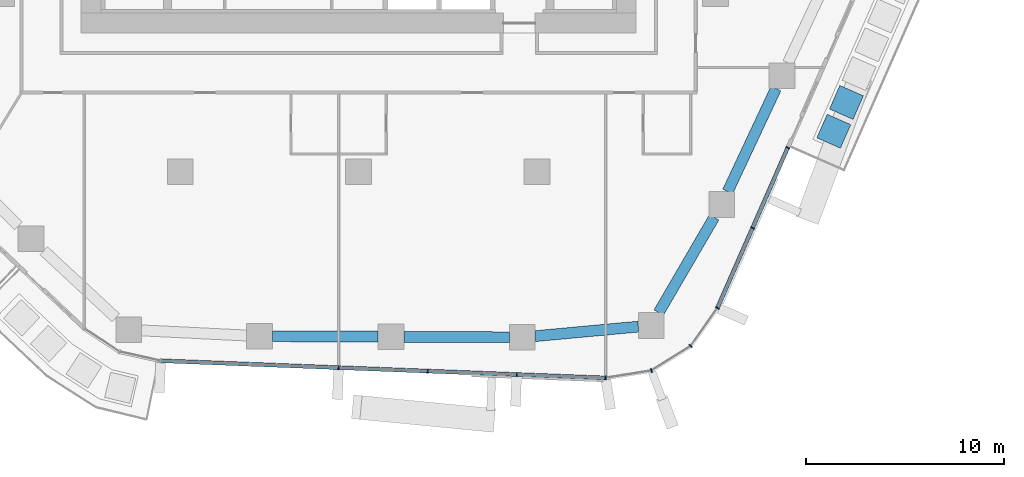
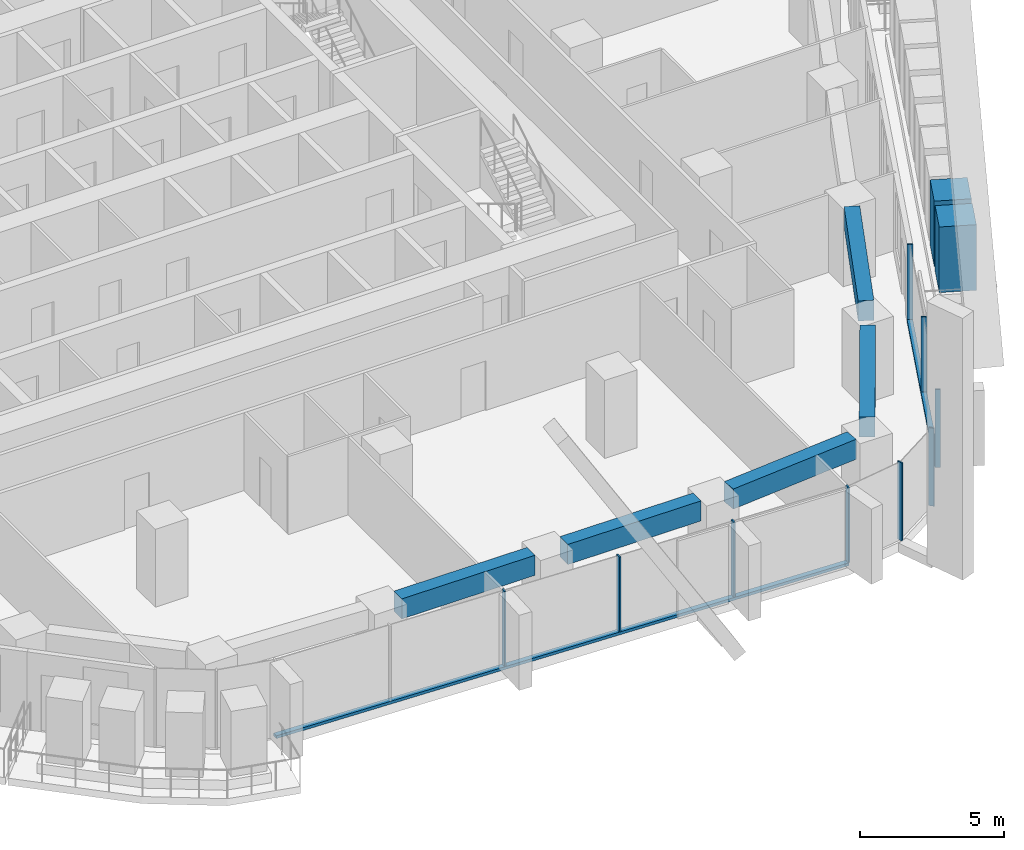
# One storey, part 4 of 24: 13 members, 5 beams, 3 elements without a shape of their own.
"""IFC4 building model written with IfcOpenShell, lengths in metres."""

from ifc_helpers import new_model, si_unit, direction, frame, origin, origin_2d, place, context, subcontext, project, spatial, rectangle, extrude, material, layer, layer_set, material_profile, profile_set, type_object, element, aggregate, save


model = new_model("IFC4")

# Units and contexts
model_context = context("Model", 3, precision=1e-05, world=origin(), true_north=direction((0.0, 1.0)))
body_context = subcontext(model_context, "Body", "Model", "MODEL_VIEW")
ifc_project = project(units=[si_unit("LENGTHUNIT", "METRE"), si_unit("AREAUNIT", "SQUARE_METRE"), si_unit("VOLUMEUNIT", "CUBIC_METRE"), si_unit("PLANEANGLEUNIT", "RADIAN"), si_unit("MASSUNIT", "GRAM", prefix="KILO")], contexts=[model_context])

# Site, building, storey
site_placement = place(None, origin())
site = spatial("IfcSite", under=ifc_project, at=site_placement, CompositionType="ELEMENT")
building_placement = place(site_placement, origin())
building = spatial("IfcBuilding", under=site, at=building_placement, Name="Dongbaek Canopy Tower", CompositionType="ELEMENT")
storey_placement = place(building_placement, frame((0.0, 0.0, 128.5)))
storey = spatial("IfcBuildingStorey", under=building, at=storey_placement, Name="L28", CompositionType="ELEMENT", Elevation=128.5)

# Curtain wall, members
ifc_material_1 = material(Name="Aluminium 6063-T6 pale anodised", Category="aluminium")
ifc_layer = layer(ifc_material_1, 0.199951171875)
ifc_layer_set = layer_set([ifc_layer], Name="CW-1 unitised tower curtain wall")
curtain_wall_type = type_object("IfcCurtainWallType", Name="CW-1 unitised tower curtain wall", PredefinedType="NOTDEFINED", material=ifc_layer_set)
curtain_wall_1_placement = place(storey_placement, origin())
curtain_wall_1 = element("IfcCurtainWall", 1, at=curtain_wall_1_placement, inside=storey, type_object=curtain_wall_type, Name="CW-1 curtain wall F4.1", PredefinedType="NOTDEFINED")
ifc_material_2 = material(Name="Aluminium 6063-T6 pale anodised", Category="aluminium")
ifc_material_profile_1 = material_profile(ifc_material_2, rectangle(XDim=0.199951171875, YDim=0.06005859375, at=origin_2d()), Name="CW-1 mullion 60 x 200")
ifc_profile_set_1 = profile_set([ifc_material_profile_1], Name="Aluminium 6063-T6 pale anodised")
member_type_1 = type_object("IfcMemberType", Name="CW-1 mullion 60 x 200", PredefinedType="MULLION", material=ifc_profile_set_1)
member_1_placement = place(storey_placement, frame((-1.010986328125, -27.8779296875, 0.1201171875), z_axis=(0.0, 0.0, 1.0), x_axis=(-0.038587229989, -0.999255235504, 0.0)))
member_1 = element("IfcMember", 2, at=member_1_placement, type_object=member_type_1, Name="CW-1 mullion F4.1.3", PredefinedType="MULLION", context=body_context, shape_type="SweptSolid", body=[
    extrude(rectangle(XDim=0.199951171875, YDim=0.06005859375, at=origin_2d()), origin(), (0.0, 0.0, 1.0), 3.179931640625),
])
member_2_placement = place(storey_placement, frame((3.4814453125, -28.05126953125, 0.1201171875), z_axis=(0.0, 0.0, 1.0), x_axis=(-0.038587229989, -0.999255235504, 0.0)))
member_2 = element("IfcMember", 3, at=member_2_placement, type_object=member_type_1, Name="CW-1 mullion F4.1.4", PredefinedType="MULLION", context=body_context, shape_type="SweptSolid", body=[
    extrude(rectangle(XDim=0.199951171875, YDim=0.06005859375, at=origin_2d()), origin(), (0.0, 0.0, 1.0), 3.179931640625),
])
member_3_placement = place(storey_placement, frame((7.973876953125, -28.224853515625, 0.1201171875), z_axis=(0.0, 0.0, 1.0), x_axis=(-0.038587229989, -0.999255235504, 0.0)))
member_3 = element("IfcMember", 4, at=member_3_placement, type_object=member_type_1, Name="CW-1 mullion F4.1.5", PredefinedType="MULLION", context=body_context, shape_type="SweptSolid", body=[
    extrude(rectangle(XDim=0.199951171875, YDim=0.06005859375, at=origin_2d()), origin(), (0.0, 0.0, 1.0), 3.179931640625),
])
member_4_placement = place(storey_placement, frame((12.456298828125, -28.39794921875, 0.1201171875), z_axis=(0.0, 0.0, 1.0), x_axis=(-0.038587229989, -0.999255235504, 0.0)))
member_4 = element("IfcMember", 5, at=member_4_placement, type_object=member_type_1, Name="CW-1 mullion F4.1.6", PredefinedType="MULLION", context=body_context, shape_type="SweptSolid", body=[
    extrude(rectangle(XDim=0.199951171875, YDim=0.06005859375, at=origin_2d()), origin(), (0.0, 0.0, 1.0), 3.179931640625),
])

curtain_wall_2_placement = place(storey_placement, origin())
curtain_wall_2 = element("IfcCurtainWall", 6, at=curtain_wall_2_placement, inside=storey, type_object=curtain_wall_type, Name="CW-1 curtain wall K5.1", PredefinedType="NOTDEFINED")
member_5_placement = place(storey_placement, frame((14.771240234375, -28.022705078125, 0.0), z_axis=(0.0, 0.0, 1.0), x_axis=(0.35218386839, -0.935930832298, 0.0)))
member_5 = element("IfcMember", 7, at=member_5_placement, type_object=member_type_1, Name="CW-1 mullion K5.1.2", PredefinedType="MULLION", context=body_context, shape_type="SweptSolid", body=[
    extrude(rectangle(XDim=0.199951171875, YDim=0.06005859375, at=origin_2d()), origin(), (0.0, 0.0, 1.0), 3.300048828125),
])
member_6_placement = place(storey_placement, frame((16.75048828125, -26.7841796875, 0.0), z_axis=(0.0, 0.0, 1.0), x_axis=(0.687763517338, -0.725934807141, 0.0)))
member_6 = element("IfcMember", 8, at=member_6_placement, type_object=member_type_1, Name="CW-1 mullion K5.1.3", PredefinedType="MULLION", context=body_context, shape_type="SweptSolid", body=[
    extrude(rectangle(XDim=0.199951171875, YDim=0.06005859375, at=origin_2d()), origin(), (0.0, 0.0, 1.0), 3.300048828125),
])
member_7_placement = place(storey_placement, frame((18.099853515625, -24.866455078125, 0.0), z_axis=(0.0, 0.0, 1.0), x_axis=(0.817843743587, -0.575440362744, 0.0)))
member_7 = element("IfcMember", 9, at=member_7_placement, type_object=member_type_1, Name="CW-1 mullion K5.1.4", PredefinedType="MULLION", context=body_context, shape_type="SweptSolid", body=[
    extrude(rectangle(XDim=0.199951171875, YDim=0.06005859375, at=origin_2d()), origin(), (0.0, 0.0, 1.0), 3.300048828125),
])
aggregate(curtain_wall_2, [member_5, member_6, member_7])

curtain_wall_3_placement = place(storey_placement, origin())
curtain_wall_3 = element("IfcCurtainWall", 10, at=curtain_wall_3_placement, inside=storey, type_object=curtain_wall_type, Name="CW-1 curtain wall F5.1", PredefinedType="NOTDEFINED")
member_8_placement = place(storey_placement, frame((19.873046875, -20.829345703125, 0.1201171875), z_axis=(0.0, 0.0, 1.0), x_axis=(0.915562348389, -0.402176063698, 0.0)))
member_8 = element("IfcMember", 11, at=member_8_placement, type_object=member_type_1, Name="CW-1 mullion F5.1.2", PredefinedType="MULLION", context=body_context, shape_type="SweptSolid", body=[
    extrude(rectangle(XDim=0.199951171875, YDim=0.06005859375, at=origin_2d()), origin(), (0.0, 0.0, 1.0), 3.179931640625),
])
member_9_placement = place(storey_placement, frame((21.650390625, -16.783447265625, 0.1201171875), z_axis=(0.0, 0.0, 1.0), x_axis=(0.915562348389, -0.402176063698, 0.0)))
member_9 = element("IfcMember", 12, at=member_9_placement, type_object=member_type_1, Name="CW-1 mullion F5.1.3", PredefinedType="MULLION", context=body_context, shape_type="SweptSolid", body=[
    extrude(rectangle(XDim=0.199951171875, YDim=0.06005859375, at=origin_2d()), origin(), (0.0, 0.0, 1.0), 3.179931640625),
])

# Member
ifc_material_3 = material(Name="Aluminium 6063-T6 pale anodised", Category="aluminium")
ifc_material_profile_2 = material_profile(ifc_material_3, rectangle(XDim=0.199951171875, YDim=0.1201171875, at=origin_2d()), Name="CW-1 transom 120 x 200")
ifc_profile_set_2 = profile_set([ifc_material_profile_2], Name="Aluminium 6063-T6 pale anodised")
member_type_2 = type_object("IfcMemberType", Name="CW-1 transom 120 x 200", PredefinedType="USERDEFINED", material=ifc_profile_set_2)
member_10_placement = place(storey_placement, frame((-9.98681640625, -27.53125, 0.06005859375), z_axis=(0.99925517351, -0.038588835336, 0.0), x_axis=(0.038588835336, 0.99925517351, 0.0)))
member_10 = element("IfcMember", 13, at=member_10_placement, type_object=member_type_2, Name="CW-1 transom F4.1.1", ObjectType="TRANSOM", PredefinedType="USERDEFINED", context=body_context, shape_type="SweptSolid", body=[
    extrude(rectangle(XDim=0.199951171875, YDim=0.1201171875, at=origin_2d()), origin(), (0.0, 0.0, 1.0), 22.4599609375),
])

aggregate(curtain_wall_1, [member_1, member_2, member_3, member_4, member_10])

member_11_placement = place(storey_placement, frame((18.099853515625, -24.866455078125, 0.06005859375), z_axis=(0.402170445834, 0.915564816109, 0.0), x_axis=(-0.915564816109, 0.402170445834, 0.0)))
member_11 = element("IfcMember", 14, at=member_11_placement, type_object=member_type_2, Name="CW-1 transom F5.1.1", ObjectType="TRANSOM", PredefinedType="USERDEFINED", context=body_context, shape_type="SweptSolid", body=[
    extrude(rectangle(XDim=0.199951171875, YDim=0.1201171875, at=origin_2d()), origin(), (0.0, 0.0, 1.0), 8.828369140625),
])

aggregate(curtain_wall_3, [member_8, member_9, member_11])

# Beams
ifc_material_4 = material(Name="Concrete C80", Category="concrete")
ifc_material_profile_3 = material_profile(ifc_material_4, rectangle(XDim=0.550048828125, YDim=0.85009765625, at=origin_2d()), Name="RC EDGE BEAM 550x850 C80")
ifc_profile_set_3 = profile_set([ifc_material_profile_3], Name="Concrete C80")
beam_type = type_object("IfcBeamType", Name="RC EDGE BEAM 550x850 C80", PredefinedType="BEAM", material=ifc_profile_set_3)
beam_1_placement = place(storey_placement, frame((14.110107421875, -25.80908203125, 2.875), z_axis=(-0.995770494827, -0.091875576911, 0.0), x_axis=(0.091875576911, -0.995770494827, 0.0)))
element("IfcBeam", 15, at=beam_1_placement, inside=storey, type_object=beam_type, Name="EDGEBEAM:L28:00", PredefinedType="BEAM", context=body_context, shape_type="SweptSolid", body=[
    extrude(rectangle(XDim=0.550048828125, YDim=0.85009765625, at=origin_2d()), origin(), (0.0, 0.0, 1.0), 5.224365234375),
])
beam_2_placement = place(storey_placement, frame((7.60791015625, -26.34619140625, 2.875), z_axis=(-0.999989714022, 0.004535620181, 0.0), x_axis=(-0.004535620181, -0.999989714022, 0.0)))
element("IfcBeam", 16, at=beam_2_placement, inside=storey, type_object=beam_type, Name="EDGEBEAM:L28:01", PredefinedType="BEAM", context=body_context, shape_type="SweptSolid", body=[
    extrude(rectangle(XDim=0.550048828125, YDim=0.85009765625, at=origin_2d()), origin(), (0.0, 0.0, 1.0), 5.328857421875),
])
beam_3_placement = place(storey_placement, frame((0.97900390625, -26.316162109375, 2.875), z_axis=(-0.999990328846, 0.004397978357, 0.0), x_axis=(-0.004397978357, -0.999990328846, 0.0)))
element("IfcBeam", 17, at=beam_3_placement, inside=storey, type_object=beam_type, Name="EDGEBEAM:L28:02", PredefinedType="BEAM", context=body_context, shape_type="SweptSolid", body=[
    extrude(rectangle(XDim=0.550048828125, YDim=0.85009765625, at=origin_2d()), origin(), (0.0, 0.0, 1.0), 5.3291015625),
])
beam_4_placement = place(storey_placement, frame((21.051513671875, -13.800048828125, 2.875), z_axis=(-0.424209119096, -0.905564256845, 0.0), x_axis=(0.905564256845, -0.424209119096, 0.0)))
element("IfcBeam", 18, at=beam_4_placement, inside=storey, type_object=beam_type, Name="EDGEBEAM:L28:24", PredefinedType="BEAM", context=body_context, shape_type="SweptSolid", body=[
    extrude(rectangle(XDim=0.550048828125, YDim=0.85009765625, at=origin_2d()), origin(), (0.0, 0.0, 1.0), 5.7333984375),
])
beam_5_placement = place(storey_placement, frame((17.9365234375, -20.2919921875, 2.875), z_axis=(-0.503057531083, -0.864252926186, 0.0), x_axis=(0.864252926186, -0.503057531083, 0.0)))
element("IfcBeam", 19, at=beam_5_placement, inside=storey, type_object=beam_type, Name="EDGEBEAM:L28:25", PredefinedType="BEAM", context=body_context, shape_type="SweptSolid", body=[
    extrude(rectangle(XDim=0.550048828125, YDim=0.85009765625, at=origin_2d()), origin(), (0.0, 0.0, 1.0), 5.562255859375),
])

# Members
ifc_material_5 = material(Name="Concrete C40/50 planter mass with planting", Category="concrete")
ifc_material_profile_4 = material_profile(ifc_material_5, rectangle(XDim=1.300048828125, YDim=1.300048828125, at=origin_2d()), Name="Terrace PLANTER shrub mass 1300 x 1300")
ifc_profile_set_4 = profile_set([ifc_material_profile_4], Name="Concrete C40/50 planter mass with planting")
member_type_3 = type_object("IfcMemberType", Name="Terrace PLANTER shrub mass 1300 x 1300", PredefinedType="USERDEFINED", material=ifc_profile_set_4)
member_12_placement = place(storey_placement, frame((23.970458984375, -15.952392578125, 0.419921875), z_axis=(0.0, 0.0, 1.0), x_axis=(0.915562348389, -0.402176063698, 0.0)))
element("IfcMember", 20, at=member_12_placement, inside=storey, type_object=member_type_3, Name="Planter shrubs L28 4.1", ObjectType="PLANTER", PredefinedType="USERDEFINED", context=body_context, shape_type="SweptSolid", body=[
    extrude(rectangle(XDim=1.300048828125, YDim=1.300048828125, at=origin_2d()), origin(), (0.0, 0.0, 1.0), 2.780029296875),
])
member_13_placement = place(storey_placement, frame((24.609130859375, -14.498779296875, 0.419921875), z_axis=(0.0, 0.0, 1.0), x_axis=(0.915562348389, -0.402176063698, 0.0)))
element("IfcMember", 21, at=member_13_placement, inside=storey, type_object=member_type_3, Name="Planter shrubs L28 4.2", ObjectType="PLANTER", PredefinedType="USERDEFINED", context=body_context, shape_type="SweptSolid", body=[
    extrude(rectangle(XDim=1.300048828125, YDim=1.300048828125, at=origin_2d()), origin(), (0.0, 0.0, 1.0), 2.77001953125),
])

save(model, "model.ifc")
